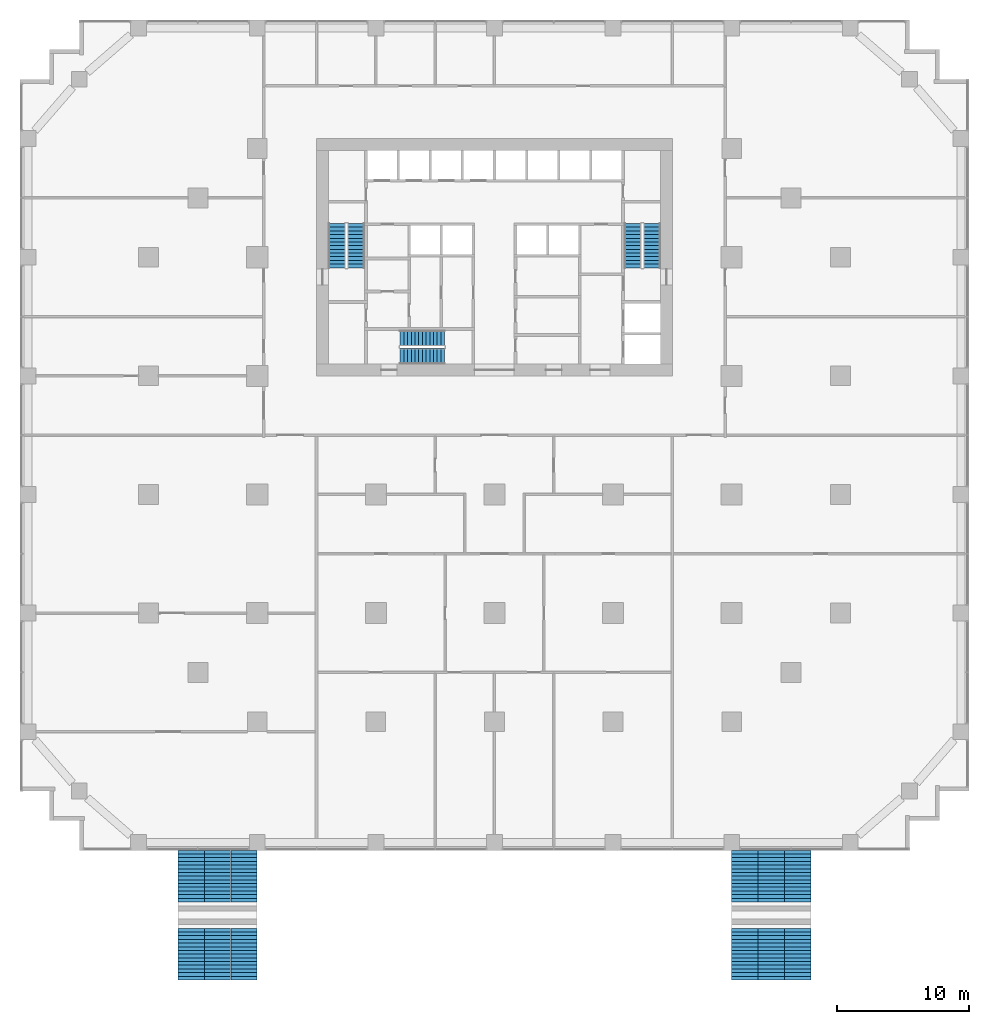
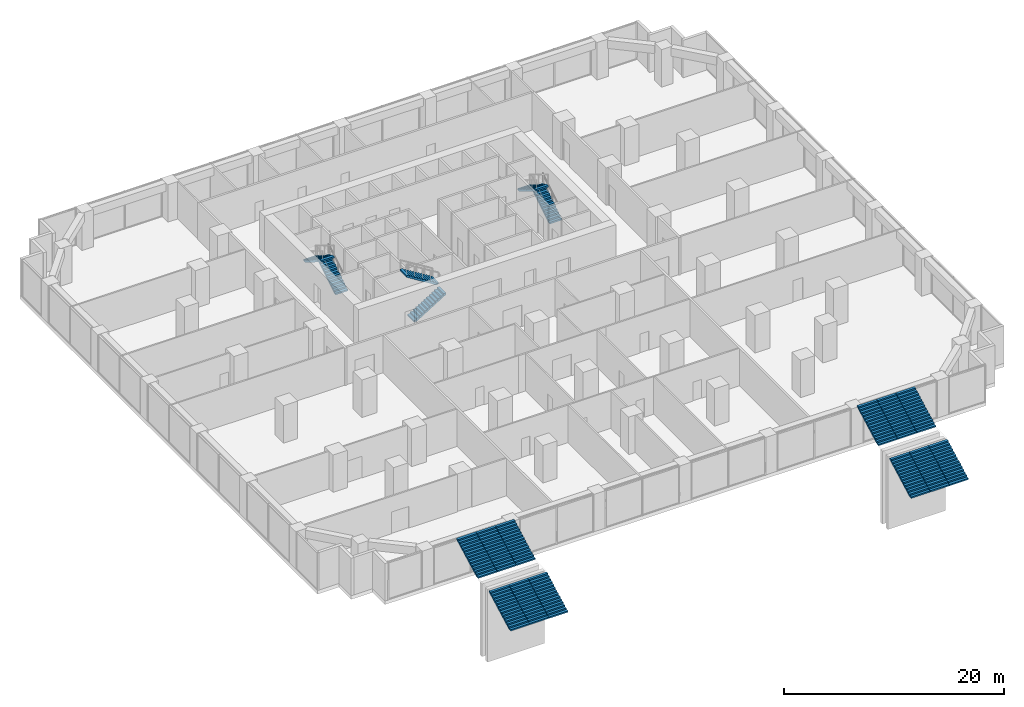
# One storey, part 17 of 18: 18 stair flights, 5 elements without a shape of their own.
"""IFC4 building model written with IfcOpenShell, lengths in metres."""

import ifcopenshell
import ifcopenshell.guid

model = None  # the IFC model being written
_history = None  # IfcOwnerHistory: only IFC2X3 demands one
_inside = {}  # id of a spatial element -> (the spatial element, [elements in it])
_under = {}  # id of a project, library or spatial element -> (it, [spatial elements below it])
_declared = {}  # id of a project -> (the project, [libraries it declares])
_typed = {}  # id of a type object -> (the type object, [elements of that type])
_made_of = {}  # id of a material, layer set ... -> (it, [elements and type objects made of it])


def new_model(schema):
    """Start an empty IFC model of exactly this schema.

    Asked for "IFC4X3", IfcOpenShell would pick the latest addendum, in which some entities
    have other attributes; the version numbers below select the first issue.
    IFC2X3 requires an IfcOwnerHistory on every rooted entity: one is made here for all.
    """
    global model, _history
    if schema == "IFC4X3":
        model = ifcopenshell.file(schema_version=(4, 3, 0, 0))
    else:
        model = ifcopenshell.file(schema=schema)
    _inside.clear()
    _under.clear()
    _declared.clear()
    _typed.clear()
    _made_of.clear()
    _history = None
    if model.schema == "IFC2X3":
        org = make("IfcOrganization", Name="unknown")
        user = make(
            "IfcPersonAndOrganization",
            ThePerson=make("IfcPerson", FamilyName="unknown"),
            TheOrganization=org,
        )
        app = make(
            "IfcApplication",
            ApplicationDeveloper=org,
            Version="unknown",
            ApplicationFullName="unknown",
            ApplicationIdentifier="unknown",
        )
        _history = make(
            "IfcOwnerHistory",
            OwningUser=user,
            OwningApplication=app,
            ChangeAction="ADDED",
            CreationDate=0,
        )
    return model


def make(cls, **values):
    """One entity of the class cls with the attributes given. An attribute that is None is left unset."""
    return model.create_entity(
        cls, **{name: value for name, value in values.items() if value is not None}
    )


def rooted(cls, **values):
    """An entity with a GlobalId (a new one), such as an element, a storey or a relation."""
    return make(cls, GlobalId=ifcopenshell.guid.new(), OwnerHistory=_history, **values)


def si_unit(unit_type, name, prefix=None):
    """IfcSIUnit, for example si_unit("LENGTHUNIT", "METRE", prefix="MILLI")."""
    return make("IfcSIUnit", UnitType=unit_type, Prefix=prefix, Name=name)


def assignment(units):
    """IfcUnitAssignment: the units of a project."""
    return None if units is None else make("IfcUnitAssignment", Units=units)


def point(xyz):
    """IfcCartesianPoint."""
    return None if xyz is None else make("IfcCartesianPoint", Coordinates=xyz)


def direction(xyz):
    """IfcDirection."""
    return None if xyz is None else make("IfcDirection", DirectionRatios=xyz)


def frame(location, z_axis=None, x_axis=None):
    """IfcAxis2Placement3D, a coordinate frame: its origin and axes. An axis left out is left unset."""
    return make(
        "IfcAxis2Placement3D",
        Location=point(location),
        Axis=direction(z_axis),
        RefDirection=direction(x_axis),
    )


def origin():
    """The frame at (0, 0, 0) with its axes left unset."""
    return frame((0.0, 0.0, 0.0))


def place(relative_to, where):
    """IfcLocalPlacement: puts the frame where relative to a parent placement (None: the world)."""
    return make(
        "IfcLocalPlacement", PlacementRelTo=relative_to, RelativePlacement=where
    )


def context(
    kind, dimensions, precision=None, world=None, true_north=None, identifier=None
):
    """IfcGeometricRepresentationContext, for example the 3D "Model" context."""
    return make(
        "IfcGeometricRepresentationContext",
        ContextIdentifier=identifier,
        ContextType=kind,
        CoordinateSpaceDimension=dimensions,
        Precision=precision,
        WorldCoordinateSystem=world,
        TrueNorth=true_north,
    )


def subcontext(parent, identifier, kind, view, scale=None):
    """IfcGeometricRepresentationSubContext, for example "Body" below "Model"."""
    return make(
        "IfcGeometricRepresentationSubContext",
        ContextIdentifier=identifier,
        ContextType=kind,
        ParentContext=parent,
        TargetScale=scale,
        TargetView=view,
    )


def project(units=None, contexts=None):
    """IfcProject with its units and contexts."""
    return rooted(
        "IfcProject",
        Name="project",
        RepresentationContexts=contexts,
        UnitsInContext=assignment(units),
    )


def spatial(cls, under=None, at=None, **own):
    """A site, building, storey or space (cls), placed at a placement, below another one or the project."""
    s = rooted(cls, ObjectPlacement=at, **own)
    if under is not None:
        _under.setdefault(under.id(), (under, []))[1].append(s)
    return s


def polyline(points):
    """IfcPolyline through the points."""
    return make("IfcPolyline", Points=[point(p) for p in points])


def outline(outer, holes=None, kind="AREA"):
    """IfcArbitraryClosedProfileDef: a profile drawn as a closed curve; with holes, ...WithVoids."""
    if holes is None:
        return make("IfcArbitraryClosedProfileDef", ProfileType=kind, OuterCurve=outer)
    return make(
        "IfcArbitraryProfileDefWithVoids",
        ProfileType=kind,
        OuterCurve=outer,
        InnerCurves=holes,
    )


def extrude(swept, where, along, depth):
    """IfcExtrudedAreaSolid: the profile swept, set in the frame where, extruded along a direction by depth."""
    return make(
        "IfcExtrudedAreaSolid",
        SweptArea=swept,
        Position=where,
        ExtrudedDirection=direction(along),
        Depth=depth,
    )


def shape(context_of_items, identifier, shape_type, items):
    """IfcShapeRepresentation: the items that make up one representation, for example the "Body"."""
    return make(
        "IfcShapeRepresentation",
        ContextOfItems=context_of_items,
        RepresentationIdentifier=identifier,
        RepresentationType=shape_type,
        Items=items,
    )


def material(Name=None, Category=None):
    """IfcMaterial."""
    return make("IfcMaterial", Name=Name, Category=Category)


def made_of(thing, what):
    """Note that an element or type object is made of a material, layer set ...; save() writes the relation."""
    if what is not None:
        _made_of.setdefault(what.id(), (what, []))[1].append(thing)
    return thing


def type_object(cls, material=None, **own):
    """A type object (cls), such as IfcWallType, which elements share."""
    return made_of(rooted(cls, **own), material)


def element(
    cls,
    number,
    at=None,
    inside=None,
    cuts=None,
    type_object=None,
    material=None,
    context=None,
    identifier="Body",
    shape_type=None,
    held_by="IfcProductDefinitionShape",
    body=None,
    shapes=None,
    **own,
):
    """One element of the class cls, such as IfcWall. Its Tag is "e" and its number.

    at: its placement. inside: the storey or other place that contains it. cuts: it is an
    opening in that element (IfcRelVoidsElement). A single representation is given by context,
    identifier, shape_type and body (its items); several are given by shapes. held_by: the class
    of the entity that holds the representations. save() writes the other relations.
    """
    e = rooted(cls, Tag="e%d" % number, ObjectPlacement=at, **own)
    if body is not None:
        shapes = [shape(context, identifier, shape_type, body)]
    if shapes is not None:
        e.Representation = make(held_by, Representations=shapes)
    if inside is not None:
        _inside.setdefault(inside.id(), (inside, []))[1].append(e)
    if cuts is not None:
        rooted(
            "IfcRelVoidsElement", RelatingBuildingElement=cuts, RelatedOpeningElement=e
        )
    if type_object is not None:
        _typed.setdefault(type_object.id(), (type_object, []))[1].append(e)
    return made_of(e, material)


def aggregate(whole, parts):
    """IfcRelAggregates: a whole, such as a stair, and the parts it consists of."""
    return rooted("IfcRelAggregates", RelatingObject=whole, RelatedObjects=parts)


def save(model, path):
    """Write the relations noted so far, then the file.

    IfcRelAggregates (storeys below a building ...), IfcRelContainedInSpatialStructure (elements
    in a storey), IfcRelDefinesByType, IfcRelAssociatesMaterial and IfcRelDeclares: one each for
    every whole, place, type object, material and project.
    """
    for whole, parts in _under.values():
        aggregate(whole, parts)
    for where, things in _inside.values():
        rooted(
            "IfcRelContainedInSpatialStructure",
            RelatedElements=things,
            RelatingStructure=where,
        )
    for kind, things in _typed.values():
        rooted("IfcRelDefinesByType", RelatedObjects=things, RelatingType=kind)
    for what, things in _made_of.values():
        rooted("IfcRelAssociatesMaterial", RelatedObjects=things, RelatingMaterial=what)
    for by, libraries in _declared.values():
        rooted("IfcRelDeclares", RelatingContext=by, RelatedDefinitions=libraries)
    model.write(path)


model = new_model("IFC4")

# Units and contexts
model_context = context("Model", 3, precision=1e-05, world=origin(), true_north=direction((0.0, 1.0)))
body_context = subcontext(model_context, "Body", "Model", "MODEL_VIEW")
ifc_project = project(units=[si_unit("LENGTHUNIT", "METRE"), si_unit("AREAUNIT", "SQUARE_METRE"), si_unit("VOLUMEUNIT", "CUBIC_METRE"), si_unit("PLANEANGLEUNIT", "RADIAN"), si_unit("MASSUNIT", "GRAM", prefix="KILO")], contexts=[model_context])

# Site, building, storey
site_placement = place(None, origin())
site = spatial("IfcSite", under=ifc_project, at=site_placement, CompositionType="ELEMENT")
building_placement = place(site_placement, origin())
building = spatial("IfcBuilding", under=site, at=building_placement, Name="Orbiselva Terraces", CompositionType="ELEMENT")
storey_placement = place(building_placement, frame((0.0, 0.0, 6.0)))
storey = spatial("IfcBuildingStorey", under=building, at=storey_placement, Name="L01", CompositionType="ELEMENT", Elevation=6.0)

# Stair, stair flights
ifc_material = material(Name="Concrete C40/50", Category="concrete")
stair_type_1 = type_object("IfcStairType", Name="CORE-STAIR-1200", PredefinedType="HALF_TURN_STAIR", material=ifc_material)
stair_1_placement = place(storey_placement, origin())
stair_1 = element("IfcStair", 1, at=stair_1_placement, inside=storey, type_object=stair_type_1, Name="L01 Exit Stair S3", PredefinedType="HALF_TURN_STAIR")
stair_flight_type_1 = type_object("IfcStairFlightType", Name="CORE-STAIR-FLIGHT-1200", PredefinedType="STRAIGHT", material=ifc_material)
stair_flight_1_placement = place(storey_placement, frame((-7.15, 6.0, 0.0), z_axis=(0.0, 0.0, 1.0), x_axis=(1.0, 0.0, 0.0)))
stair_flight_1 = element("IfcStairFlight", 2, at=stair_flight_1_placement, type_object=stair_flight_type_1, Name="S3 flight 1", NumberOfRisers=13, NumberOfTreads=12, PredefinedType="STRAIGHT", RiserHeight=0.173076923, TreadLength=0.28, context=body_context, shape_type="SweptSolid", body=[
    extrude(outline(polyline([(0.0, 0.0), (0.0, 0.173077), (0.28, 0.173077), (0.28, 0.346154), (0.56, 0.346154), (0.56, 0.519231), (0.84, 0.519231), (0.84, 0.692308), (1.12, 0.692308), (1.12, 0.865385), (1.4, 0.865385), (1.4, 1.038462), (1.68, 1.038462), (1.68, 1.211538), (1.96, 1.211538), (1.96, 1.384615), (2.24, 1.384615), (2.24, 1.557692), (2.52, 1.557692), (2.52, 1.730769), (2.8, 1.730769), (2.8, 1.903846), (3.08, 1.903846), (3.08, 2.076923), (3.36, 2.076923), (3.36, 2.25), (3.36, 1.90058), (0.285284, 0.0), (0.0, 0.0)])), frame((0.0, 0.6, 0.0), z_axis=(0.0, -1.0, 0.0), x_axis=(1.0, 0.0, 0.0)), (0.0, 0.0, 1.0), 1.2),
])
stair_flight_2_placement = place(storey_placement, frame((-3.79, 7.35, 2.25), z_axis=(0.0, 0.0, 1.0), x_axis=(-1.0, 0.0, 0.0)))
stair_flight_2 = element("IfcStairFlight", 3, at=stair_flight_2_placement, type_object=stair_flight_type_1, Name="S3 flight 2", NumberOfRisers=13, NumberOfTreads=12, PredefinedType="STRAIGHT", RiserHeight=0.173076923, TreadLength=0.28, context=body_context, shape_type="SweptSolid", body=[
    extrude(outline(polyline([(0.0, 0.0), (0.0, 0.173077), (0.28, 0.173077), (0.28, 0.346154), (0.56, 0.346154), (0.56, 0.519231), (0.84, 0.519231), (0.84, 0.692308), (1.12, 0.692308), (1.12, 0.865385), (1.4, 0.865385), (1.4, 1.038462), (1.68, 1.038462), (1.68, 1.211538), (1.96, 1.211538), (1.96, 1.384615), (2.24, 1.384615), (2.24, 1.557692), (2.52, 1.557692), (2.52, 1.730769), (2.8, 1.730769), (2.8, 1.903846), (3.08, 1.903846), (3.08, 2.076923), (3.36, 2.076923), (3.36, 2.25), (3.36, 1.90058), (0.285284, 0.0), (0.0, 0.0)])), frame((0.0, 0.6, 0.0), z_axis=(0.0, -1.0, 0.0), x_axis=(1.0, 0.0, 0.0)), (0.0, 0.0, 1.0), 1.2),
])
aggregate(stair_1, [stair_flight_1, stair_flight_2])

stair_type_2 = type_object("IfcStairType", Name="CORE-STAIR-1300", PredefinedType="HALF_TURN_STAIR", material=ifc_material)
stair_2_placement = place(storey_placement, origin())
stair_2 = element("IfcStair", 4, at=stair_2_placement, inside=storey, type_object=stair_type_2, Name="L01 Exit Stair S1", PredefinedType="HALF_TURN_STAIR")
stair_flight_type_2 = type_object("IfcStairFlightType", Name="CORE-STAIR-FLIGHT-1300", PredefinedType="STRAIGHT", material=ifc_material)
stair_flight_3_placement = place(storey_placement, frame((-10.5, 12.7, 0.0), z_axis=(0.0, 0.0, 1.0), x_axis=(0.0, 1.0, 0.0)))
stair_flight_3 = element("IfcStairFlight", 5, at=stair_flight_3_placement, type_object=stair_flight_type_2, Name="S1 flight 1", NumberOfRisers=13, NumberOfTreads=12, PredefinedType="STRAIGHT", RiserHeight=0.173076923, TreadLength=0.28, context=body_context, shape_type="SweptSolid", body=[
    extrude(outline(polyline([(0.0, 0.0), (0.0, 0.173077), (0.28, 0.173077), (0.28, 0.346154), (0.56, 0.346154), (0.56, 0.519231), (0.84, 0.519231), (0.84, 0.692308), (1.12, 0.692308), (1.12, 0.865385), (1.4, 0.865385), (1.4, 1.038462), (1.68, 1.038462), (1.68, 1.211538), (1.96, 1.211538), (1.96, 1.384615), (2.24, 1.384615), (2.24, 1.557692), (2.52, 1.557692), (2.52, 1.730769), (2.8, 1.730769), (2.8, 1.903846), (3.08, 1.903846), (3.08, 2.076923), (3.36, 2.076923), (3.36, 2.25), (3.36, 1.90058), (0.285284, 0.0), (0.0, 0.0)])), frame((0.0, 0.65, 0.0), z_axis=(0.0, -1.0, 0.0), x_axis=(1.0, 0.0, 0.0)), (0.0, 0.0, 1.0), 1.3),
])
stair_flight_4_placement = place(storey_placement, frame((-11.95, 16.06, 2.25), z_axis=(0.0, 0.0, 1.0), x_axis=(0.0, -1.0, 0.0)))
stair_flight_4 = element("IfcStairFlight", 6, at=stair_flight_4_placement, type_object=stair_flight_type_2, Name="S1 flight 2", NumberOfRisers=13, NumberOfTreads=12, PredefinedType="STRAIGHT", RiserHeight=0.173076923, TreadLength=0.28, context=body_context, shape_type="SweptSolid", body=[
    extrude(outline(polyline([(0.0, 0.0), (0.0, 0.173077), (0.28, 0.173077), (0.28, 0.346154), (0.56, 0.346154), (0.56, 0.519231), (0.84, 0.519231), (0.84, 0.692308), (1.12, 0.692308), (1.12, 0.865385), (1.4, 0.865385), (1.4, 1.038462), (1.68, 1.038462), (1.68, 1.211538), (1.96, 1.211538), (1.96, 1.384615), (2.24, 1.384615), (2.24, 1.557692), (2.52, 1.557692), (2.52, 1.730769), (2.8, 1.730769), (2.8, 1.903846), (3.08, 1.903846), (3.08, 2.076923), (3.36, 2.076923), (3.36, 2.25), (3.36, 1.90058), (0.285284, 0.0), (0.0, 0.0)])), frame((0.0, 0.65, 0.0), z_axis=(0.0, -1.0, 0.0), x_axis=(1.0, 0.0, 0.0)), (0.0, 0.0, 1.0), 1.3),
])
aggregate(stair_2, [stair_flight_3, stair_flight_4])

stair_3_placement = place(storey_placement, origin())
stair_3 = element("IfcStair", 7, at=stair_3_placement, inside=storey, type_object=stair_type_2, Name="L01 Exit Stair S2", PredefinedType="HALF_TURN_STAIR")
stair_flight_5_placement = place(storey_placement, frame((11.95, 12.7, 0.0), z_axis=(0.0, 0.0, 1.0), x_axis=(0.0, 1.0, 0.0)))
stair_flight_5 = element("IfcStairFlight", 8, at=stair_flight_5_placement, type_object=stair_flight_type_2, Name="S2 flight 1", NumberOfRisers=13, NumberOfTreads=12, PredefinedType="STRAIGHT", RiserHeight=0.173076923, TreadLength=0.28, context=body_context, shape_type="SweptSolid", body=[
    extrude(outline(polyline([(0.0, 0.0), (0.0, 0.173077), (0.28, 0.173077), (0.28, 0.346154), (0.56, 0.346154), (0.56, 0.519231), (0.84, 0.519231), (0.84, 0.692308), (1.12, 0.692308), (1.12, 0.865385), (1.4, 0.865385), (1.4, 1.038462), (1.68, 1.038462), (1.68, 1.211538), (1.96, 1.211538), (1.96, 1.384615), (2.24, 1.384615), (2.24, 1.557692), (2.52, 1.557692), (2.52, 1.730769), (2.8, 1.730769), (2.8, 1.903846), (3.08, 1.903846), (3.08, 2.076923), (3.36, 2.076923), (3.36, 2.25), (3.36, 1.90058), (0.285284, 0.0), (0.0, 0.0)])), frame((0.0, 0.65, 0.0), z_axis=(0.0, -1.0, 0.0), x_axis=(1.0, 0.0, 0.0)), (0.0, 0.0, 1.0), 1.3),
])
stair_flight_6_placement = place(storey_placement, frame((10.5, 16.06, 2.25), z_axis=(0.0, 0.0, 1.0), x_axis=(0.0, -1.0, 0.0)))
stair_flight_6 = element("IfcStairFlight", 9, at=stair_flight_6_placement, type_object=stair_flight_type_2, Name="S2 flight 2", NumberOfRisers=13, NumberOfTreads=12, PredefinedType="STRAIGHT", RiserHeight=0.173076923, TreadLength=0.28, context=body_context, shape_type="SweptSolid", body=[
    extrude(outline(polyline([(0.0, 0.0), (0.0, 0.173077), (0.28, 0.173077), (0.28, 0.346154), (0.56, 0.346154), (0.56, 0.519231), (0.84, 0.519231), (0.84, 0.692308), (1.12, 0.692308), (1.12, 0.865385), (1.4, 0.865385), (1.4, 1.038462), (1.68, 1.038462), (1.68, 1.211538), (1.96, 1.211538), (1.96, 1.384615), (2.24, 1.384615), (2.24, 1.557692), (2.52, 1.557692), (2.52, 1.730769), (2.8, 1.730769), (2.8, 1.903846), (3.08, 1.903846), (3.08, 2.076923), (3.36, 2.076923), (3.36, 2.25), (3.36, 1.90058), (0.285284, 0.0), (0.0, 0.0)])), frame((0.0, 0.65, 0.0), z_axis=(0.0, -1.0, 0.0), x_axis=(1.0, 0.0, 0.0)), (0.0, 0.0, 1.0), 1.3),
])
aggregate(stair_3, [stair_flight_5, stair_flight_6])

stair_type_3 = type_object("IfcStairType", Name="ENV-BROAD-STAIR", PredefinedType="STRAIGHT_RUN_STAIR", material=ifc_material)
stair_4_placement = place(storey_placement, origin())
stair_4 = element("IfcStair", 10, at=stair_4_placement, inside=storey, type_object=stair_type_3, Name="Broad stair 1 upper", PredefinedType="STRAIGHT_RUN_STAIR")
stair_flight_type_3 = type_object("IfcStairFlightType", Name="ENV-BROAD-STAIR-FLIGHT", PredefinedType="STRAIGHT", material=ifc_material)
stair_flight_7_placement = place(storey_placement, frame((-23.01, -41.34, 0.0), z_axis=(0.0, 0.0, 1.0), x_axis=(0.0, 1.0, 0.0)))
stair_flight_7 = element("IfcStairFlight", 11, at=stair_flight_7_placement, type_object=stair_flight_type_3, Name="BR1 flight 1", NumberOfRisers=15, NumberOfTreads=14, PredefinedType="STRAIGHT", RiserHeight=0.15, TreadLength=0.28, context=body_context, shape_type="SweptSolid", body=[
    extrude(outline(polyline([(0.0, 0.0), (0.0, 0.15), (0.28, 0.15), (0.28, 0.3), (0.56, 0.3), (0.56, 0.45), (0.84, 0.45), (0.84, 0.6), (1.12, 0.6), (1.12, 0.75), (1.4, 0.75), (1.4, 0.9), (1.68, 0.9), (1.68, 1.05), (1.96, 1.05), (1.96, 1.2), (2.24, 1.2), (2.24, 1.35), (2.52, 1.35), (2.52, 1.5), (2.8, 1.5), (2.8, 1.65), (3.08, 1.65), (3.08, 1.8), (3.36, 1.8), (3.36, 1.95), (3.64, 1.95), (3.64, 2.1), (3.92, 2.1), (3.92, 2.25), (3.92, 1.929832), (0.317648, 0.0), (0.0, 0.0)])), frame((0.0, 0.99, 0.0), z_axis=(0.0, -1.0, 0.0), x_axis=(1.0, 0.0, 0.0)), (0.0, 0.0, 1.0), 1.98),
])
stair_flight_8_placement = place(storey_placement, frame((-21.0, -41.34, 0.0), z_axis=(0.0, 0.0, 1.0), x_axis=(0.0, 1.0, 0.0)))
stair_flight_8 = element("IfcStairFlight", 12, at=stair_flight_8_placement, type_object=stair_flight_type_3, Name="BR1 flight 2", NumberOfRisers=15, NumberOfTreads=14, PredefinedType="STRAIGHT", RiserHeight=0.15, TreadLength=0.28, context=body_context, shape_type="SweptSolid", body=[
    extrude(outline(polyline([(0.0, 0.0), (0.0, 0.15), (0.28, 0.15), (0.28, 0.3), (0.56, 0.3), (0.56, 0.45), (0.84, 0.45), (0.84, 0.6), (1.12, 0.6), (1.12, 0.75), (1.4, 0.75), (1.4, 0.9), (1.68, 0.9), (1.68, 1.05), (1.96, 1.05), (1.96, 1.2), (2.24, 1.2), (2.24, 1.35), (2.52, 1.35), (2.52, 1.5), (2.8, 1.5), (2.8, 1.65), (3.08, 1.65), (3.08, 1.8), (3.36, 1.8), (3.36, 1.95), (3.64, 1.95), (3.64, 2.1), (3.92, 2.1), (3.92, 2.25), (3.92, 1.929832), (0.317648, 0.0), (0.0, 0.0)])), frame((0.0, 0.99, 0.0), z_axis=(0.0, -1.0, 0.0), x_axis=(1.0, 0.0, 0.0)), (0.0, 0.0, 1.0), 1.98),
])
stair_flight_9_placement = place(storey_placement, frame((-18.99, -41.34, 0.0), z_axis=(0.0, 0.0, 1.0), x_axis=(0.0, 1.0, 0.0)))
stair_flight_9 = element("IfcStairFlight", 13, at=stair_flight_9_placement, type_object=stair_flight_type_3, Name="BR1 flight 3", NumberOfRisers=15, NumberOfTreads=14, PredefinedType="STRAIGHT", RiserHeight=0.15, TreadLength=0.28, context=body_context, shape_type="SweptSolid", body=[
    extrude(outline(polyline([(0.0, 0.0), (0.0, 0.15), (0.28, 0.15), (0.28, 0.3), (0.56, 0.3), (0.56, 0.45), (0.84, 0.45), (0.84, 0.6), (1.12, 0.6), (1.12, 0.75), (1.4, 0.75), (1.4, 0.9), (1.68, 0.9), (1.68, 1.05), (1.96, 1.05), (1.96, 1.2), (2.24, 1.2), (2.24, 1.35), (2.52, 1.35), (2.52, 1.5), (2.8, 1.5), (2.8, 1.65), (3.08, 1.65), (3.08, 1.8), (3.36, 1.8), (3.36, 1.95), (3.64, 1.95), (3.64, 2.1), (3.92, 2.1), (3.92, 2.25), (3.92, 1.929832), (0.317648, 0.0), (0.0, 0.0)])), frame((0.0, 0.99, 0.0), z_axis=(0.0, -1.0, 0.0), x_axis=(1.0, 0.0, 0.0)), (0.0, 0.0, 1.0), 1.98),
])
stair_flight_10_placement = place(storey_placement, frame((-23.01, -35.42, 2.25), z_axis=(0.0, 0.0, 1.0), x_axis=(0.0, 1.0, 0.0)))
stair_flight_10 = element("IfcStairFlight", 14, at=stair_flight_10_placement, type_object=stair_flight_type_3, Name="BR1 flight 4", NumberOfRisers=15, NumberOfTreads=14, PredefinedType="STRAIGHT", RiserHeight=0.15, TreadLength=0.28, context=body_context, shape_type="SweptSolid", body=[
    extrude(outline(polyline([(0.0, 0.0), (0.0, 0.15), (0.28, 0.15), (0.28, 0.3), (0.56, 0.3), (0.56, 0.45), (0.84, 0.45), (0.84, 0.6), (1.12, 0.6), (1.12, 0.75), (1.4, 0.75), (1.4, 0.9), (1.68, 0.9), (1.68, 1.05), (1.96, 1.05), (1.96, 1.2), (2.24, 1.2), (2.24, 1.35), (2.52, 1.35), (2.52, 1.5), (2.8, 1.5), (2.8, 1.65), (3.08, 1.65), (3.08, 1.8), (3.36, 1.8), (3.36, 1.95), (3.64, 1.95), (3.64, 2.1), (3.92, 2.1), (3.92, 2.25), (3.92, 1.929832), (0.317648, 0.0), (0.0, 0.0)])), frame((0.0, 0.99, 0.0), z_axis=(0.0, -1.0, 0.0), x_axis=(1.0, 0.0, 0.0)), (0.0, 0.0, 1.0), 1.98),
])
stair_flight_11_placement = place(storey_placement, frame((-21.0, -35.42, 2.25), z_axis=(0.0, 0.0, 1.0), x_axis=(0.0, 1.0, 0.0)))
stair_flight_11 = element("IfcStairFlight", 15, at=stair_flight_11_placement, type_object=stair_flight_type_3, Name="BR1 flight 5", NumberOfRisers=15, NumberOfTreads=14, PredefinedType="STRAIGHT", RiserHeight=0.15, TreadLength=0.28, context=body_context, shape_type="SweptSolid", body=[
    extrude(outline(polyline([(0.0, 0.0), (0.0, 0.15), (0.28, 0.15), (0.28, 0.3), (0.56, 0.3), (0.56, 0.45), (0.84, 0.45), (0.84, 0.6), (1.12, 0.6), (1.12, 0.75), (1.4, 0.75), (1.4, 0.9), (1.68, 0.9), (1.68, 1.05), (1.96, 1.05), (1.96, 1.2), (2.24, 1.2), (2.24, 1.35), (2.52, 1.35), (2.52, 1.5), (2.8, 1.5), (2.8, 1.65), (3.08, 1.65), (3.08, 1.8), (3.36, 1.8), (3.36, 1.95), (3.64, 1.95), (3.64, 2.1), (3.92, 2.1), (3.92, 2.25), (3.92, 1.929832), (0.317648, 0.0), (0.0, 0.0)])), frame((0.0, 0.99, 0.0), z_axis=(0.0, -1.0, 0.0), x_axis=(1.0, 0.0, 0.0)), (0.0, 0.0, 1.0), 1.98),
])
stair_flight_12_placement = place(storey_placement, frame((-18.99, -35.42, 2.25), z_axis=(0.0, 0.0, 1.0), x_axis=(0.0, 1.0, 0.0)))
stair_flight_12 = element("IfcStairFlight", 16, at=stair_flight_12_placement, type_object=stair_flight_type_3, Name="BR1 flight 6", NumberOfRisers=15, NumberOfTreads=14, PredefinedType="STRAIGHT", RiserHeight=0.15, TreadLength=0.28, context=body_context, shape_type="SweptSolid", body=[
    extrude(outline(polyline([(0.0, 0.0), (0.0, 0.15), (0.28, 0.15), (0.28, 0.3), (0.56, 0.3), (0.56, 0.45), (0.84, 0.45), (0.84, 0.6), (1.12, 0.6), (1.12, 0.75), (1.4, 0.75), (1.4, 0.9), (1.68, 0.9), (1.68, 1.05), (1.96, 1.05), (1.96, 1.2), (2.24, 1.2), (2.24, 1.35), (2.52, 1.35), (2.52, 1.5), (2.8, 1.5), (2.8, 1.65), (3.08, 1.65), (3.08, 1.8), (3.36, 1.8), (3.36, 1.95), (3.64, 1.95), (3.64, 2.1), (3.92, 2.1), (3.92, 2.25), (3.92, 1.929832), (0.317648, 0.0), (0.0, 0.0)])), frame((0.0, 0.99, 0.0), z_axis=(0.0, -1.0, 0.0), x_axis=(1.0, 0.0, 0.0)), (0.0, 0.0, 1.0), 1.98),
])
aggregate(stair_4, [stair_flight_7, stair_flight_8, stair_flight_9, stair_flight_10, stair_flight_11, stair_flight_12])

stair_5_placement = place(storey_placement, origin())
stair_5 = element("IfcStair", 17, at=stair_5_placement, inside=storey, type_object=stair_type_3, Name="Broad stair 2 upper", PredefinedType="STRAIGHT_RUN_STAIR")
stair_flight_13_placement = place(storey_placement, frame((18.99, -41.34, 0.0), z_axis=(0.0, 0.0, 1.0), x_axis=(0.0, 1.0, 0.0)))
stair_flight_13 = element("IfcStairFlight", 18, at=stair_flight_13_placement, type_object=stair_flight_type_3, Name="BR1 flight 1", NumberOfRisers=15, NumberOfTreads=14, PredefinedType="STRAIGHT", RiserHeight=0.15, TreadLength=0.28, context=body_context, shape_type="SweptSolid", body=[
    extrude(outline(polyline([(0.0, 0.0), (0.0, 0.15), (0.28, 0.15), (0.28, 0.3), (0.56, 0.3), (0.56, 0.45), (0.84, 0.45), (0.84, 0.6), (1.12, 0.6), (1.12, 0.75), (1.4, 0.75), (1.4, 0.9), (1.68, 0.9), (1.68, 1.05), (1.96, 1.05), (1.96, 1.2), (2.24, 1.2), (2.24, 1.35), (2.52, 1.35), (2.52, 1.5), (2.8, 1.5), (2.8, 1.65), (3.08, 1.65), (3.08, 1.8), (3.36, 1.8), (3.36, 1.95), (3.64, 1.95), (3.64, 2.1), (3.92, 2.1), (3.92, 2.25), (3.92, 1.929832), (0.317648, 0.0), (0.0, 0.0)])), frame((0.0, 0.99, 0.0), z_axis=(0.0, -1.0, 0.0), x_axis=(1.0, 0.0, 0.0)), (0.0, 0.0, 1.0), 1.98),
])
stair_flight_14_placement = place(storey_placement, frame((21.0, -41.34, 0.0), z_axis=(0.0, 0.0, 1.0), x_axis=(0.0, 1.0, 0.0)))
stair_flight_14 = element("IfcStairFlight", 19, at=stair_flight_14_placement, type_object=stair_flight_type_3, Name="BR1 flight 2", NumberOfRisers=15, NumberOfTreads=14, PredefinedType="STRAIGHT", RiserHeight=0.15, TreadLength=0.28, context=body_context, shape_type="SweptSolid", body=[
    extrude(outline(polyline([(0.0, 0.0), (0.0, 0.15), (0.28, 0.15), (0.28, 0.3), (0.56, 0.3), (0.56, 0.45), (0.84, 0.45), (0.84, 0.6), (1.12, 0.6), (1.12, 0.75), (1.4, 0.75), (1.4, 0.9), (1.68, 0.9), (1.68, 1.05), (1.96, 1.05), (1.96, 1.2), (2.24, 1.2), (2.24, 1.35), (2.52, 1.35), (2.52, 1.5), (2.8, 1.5), (2.8, 1.65), (3.08, 1.65), (3.08, 1.8), (3.36, 1.8), (3.36, 1.95), (3.64, 1.95), (3.64, 2.1), (3.92, 2.1), (3.92, 2.25), (3.92, 1.929832), (0.317648, 0.0), (0.0, 0.0)])), frame((0.0, 0.99, 0.0), z_axis=(0.0, -1.0, 0.0), x_axis=(1.0, 0.0, 0.0)), (0.0, 0.0, 1.0), 1.98),
])
stair_flight_15_placement = place(storey_placement, frame((23.01, -41.34, 0.0), z_axis=(0.0, 0.0, 1.0), x_axis=(0.0, 1.0, 0.0)))
stair_flight_15 = element("IfcStairFlight", 20, at=stair_flight_15_placement, type_object=stair_flight_type_3, Name="BR1 flight 3", NumberOfRisers=15, NumberOfTreads=14, PredefinedType="STRAIGHT", RiserHeight=0.15, TreadLength=0.28, context=body_context, shape_type="SweptSolid", body=[
    extrude(outline(polyline([(0.0, 0.0), (0.0, 0.15), (0.28, 0.15), (0.28, 0.3), (0.56, 0.3), (0.56, 0.45), (0.84, 0.45), (0.84, 0.6), (1.12, 0.6), (1.12, 0.75), (1.4, 0.75), (1.4, 0.9), (1.68, 0.9), (1.68, 1.05), (1.96, 1.05), (1.96, 1.2), (2.24, 1.2), (2.24, 1.35), (2.52, 1.35), (2.52, 1.5), (2.8, 1.5), (2.8, 1.65), (3.08, 1.65), (3.08, 1.8), (3.36, 1.8), (3.36, 1.95), (3.64, 1.95), (3.64, 2.1), (3.92, 2.1), (3.92, 2.25), (3.92, 1.929832), (0.317648, 0.0), (0.0, 0.0)])), frame((0.0, 0.99, 0.0), z_axis=(0.0, -1.0, 0.0), x_axis=(1.0, 0.0, 0.0)), (0.0, 0.0, 1.0), 1.98),
])
stair_flight_16_placement = place(storey_placement, frame((18.99, -35.42, 2.25), z_axis=(0.0, 0.0, 1.0), x_axis=(0.0, 1.0, 0.0)))
stair_flight_16 = element("IfcStairFlight", 21, at=stair_flight_16_placement, type_object=stair_flight_type_3, Name="BR1 flight 4", NumberOfRisers=15, NumberOfTreads=14, PredefinedType="STRAIGHT", RiserHeight=0.15, TreadLength=0.28, context=body_context, shape_type="SweptSolid", body=[
    extrude(outline(polyline([(0.0, 0.0), (0.0, 0.15), (0.28, 0.15), (0.28, 0.3), (0.56, 0.3), (0.56, 0.45), (0.84, 0.45), (0.84, 0.6), (1.12, 0.6), (1.12, 0.75), (1.4, 0.75), (1.4, 0.9), (1.68, 0.9), (1.68, 1.05), (1.96, 1.05), (1.96, 1.2), (2.24, 1.2), (2.24, 1.35), (2.52, 1.35), (2.52, 1.5), (2.8, 1.5), (2.8, 1.65), (3.08, 1.65), (3.08, 1.8), (3.36, 1.8), (3.36, 1.95), (3.64, 1.95), (3.64, 2.1), (3.92, 2.1), (3.92, 2.25), (3.92, 1.929832), (0.317648, 0.0), (0.0, 0.0)])), frame((0.0, 0.99, 0.0), z_axis=(0.0, -1.0, 0.0), x_axis=(1.0, 0.0, 0.0)), (0.0, 0.0, 1.0), 1.98),
])
stair_flight_17_placement = place(storey_placement, frame((21.0, -35.42, 2.25), z_axis=(0.0, 0.0, 1.0), x_axis=(0.0, 1.0, 0.0)))
stair_flight_17 = element("IfcStairFlight", 22, at=stair_flight_17_placement, type_object=stair_flight_type_3, Name="BR1 flight 5", NumberOfRisers=15, NumberOfTreads=14, PredefinedType="STRAIGHT", RiserHeight=0.15, TreadLength=0.28, context=body_context, shape_type="SweptSolid", body=[
    extrude(outline(polyline([(0.0, 0.0), (0.0, 0.15), (0.28, 0.15), (0.28, 0.3), (0.56, 0.3), (0.56, 0.45), (0.84, 0.45), (0.84, 0.6), (1.12, 0.6), (1.12, 0.75), (1.4, 0.75), (1.4, 0.9), (1.68, 0.9), (1.68, 1.05), (1.96, 1.05), (1.96, 1.2), (2.24, 1.2), (2.24, 1.35), (2.52, 1.35), (2.52, 1.5), (2.8, 1.5), (2.8, 1.65), (3.08, 1.65), (3.08, 1.8), (3.36, 1.8), (3.36, 1.95), (3.64, 1.95), (3.64, 2.1), (3.92, 2.1), (3.92, 2.25), (3.92, 1.929832), (0.317648, 0.0), (0.0, 0.0)])), frame((0.0, 0.99, 0.0), z_axis=(0.0, -1.0, 0.0), x_axis=(1.0, 0.0, 0.0)), (0.0, 0.0, 1.0), 1.98),
])
stair_flight_18_placement = place(storey_placement, frame((23.01, -35.42, 2.25), z_axis=(0.0, 0.0, 1.0), x_axis=(0.0, 1.0, 0.0)))
stair_flight_18 = element("IfcStairFlight", 23, at=stair_flight_18_placement, type_object=stair_flight_type_3, Name="BR1 flight 6", NumberOfRisers=15, NumberOfTreads=14, PredefinedType="STRAIGHT", RiserHeight=0.15, TreadLength=0.28, context=body_context, shape_type="SweptSolid", body=[
    extrude(outline(polyline([(0.0, 0.0), (0.0, 0.15), (0.28, 0.15), (0.28, 0.3), (0.56, 0.3), (0.56, 0.45), (0.84, 0.45), (0.84, 0.6), (1.12, 0.6), (1.12, 0.75), (1.4, 0.75), (1.4, 0.9), (1.68, 0.9), (1.68, 1.05), (1.96, 1.05), (1.96, 1.2), (2.24, 1.2), (2.24, 1.35), (2.52, 1.35), (2.52, 1.5), (2.8, 1.5), (2.8, 1.65), (3.08, 1.65), (3.08, 1.8), (3.36, 1.8), (3.36, 1.95), (3.64, 1.95), (3.64, 2.1), (3.92, 2.1), (3.92, 2.25), (3.92, 1.929832), (0.317648, 0.0), (0.0, 0.0)])), frame((0.0, 0.99, 0.0), z_axis=(0.0, -1.0, 0.0), x_axis=(1.0, 0.0, 0.0)), (0.0, 0.0, 1.0), 1.98),
])
aggregate(stair_5, [stair_flight_13, stair_flight_14, stair_flight_15, stair_flight_16, stair_flight_17, stair_flight_18])

save(model, "model.ifc")
